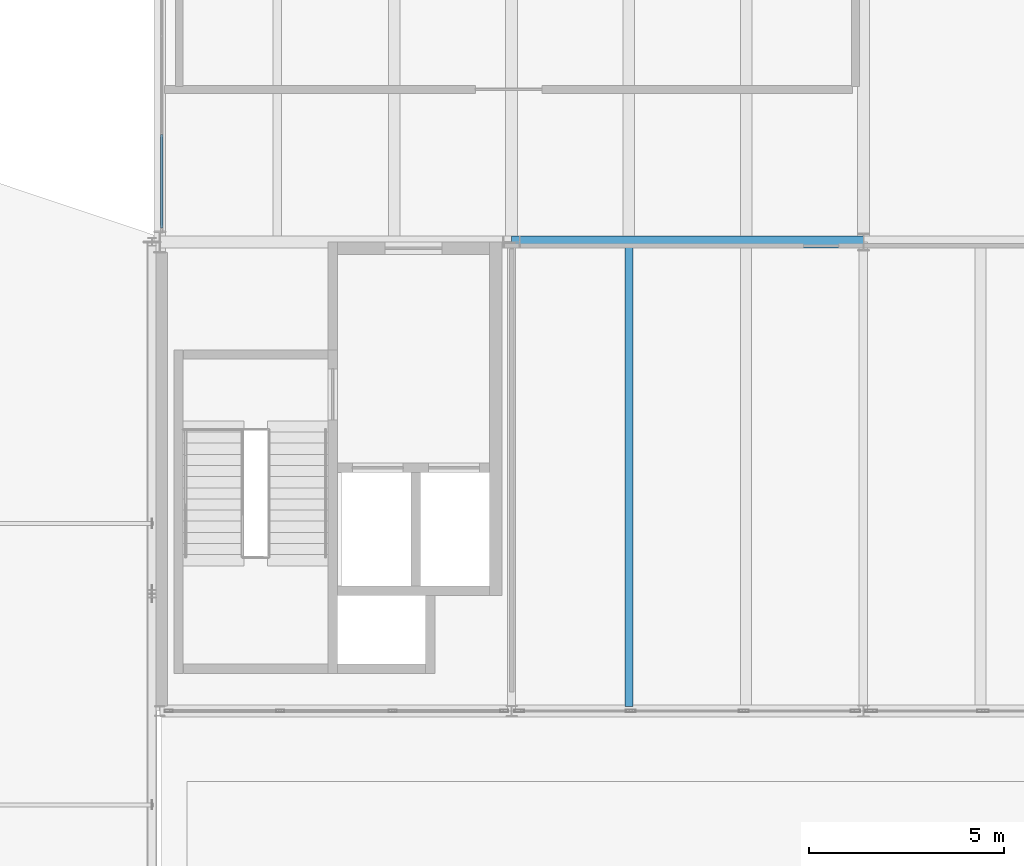
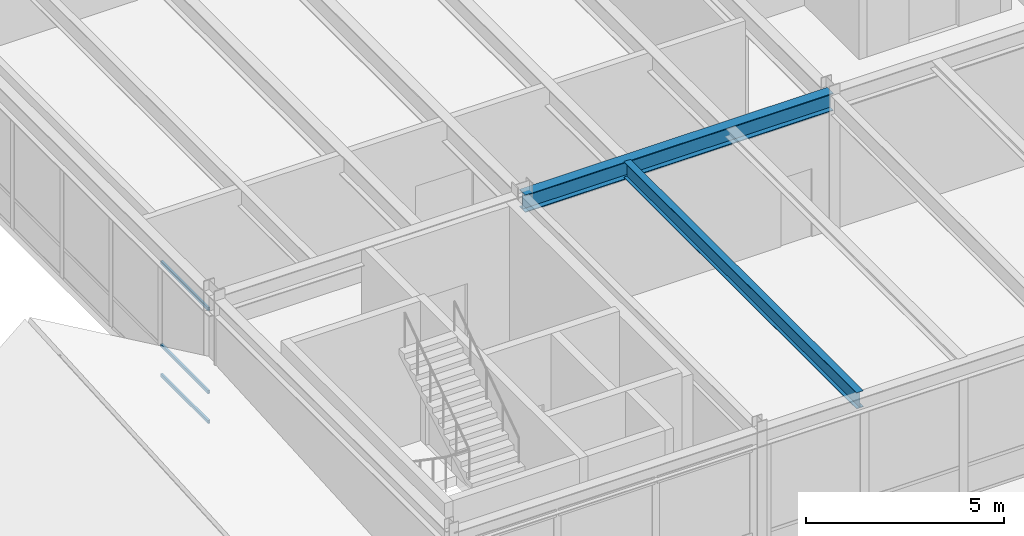
# One storey, part 74 of 142: 3 members, 2 beams, 1 element without a shape of its own.
"""IFC4 building model written with IfcOpenShell, lengths in metres."""

from ifc_helpers import new_model, si_unit, direction, frame, origin, origin_2d, place, context, subcontext, project, spatial, hollow_rectangle, i_section, extrude, material, layer, layer_set, material_profile, profile_set, type_object, element, aggregate, save


model = new_model("IFC4")

# Units and contexts
model_context = context("Model", 3, precision=1e-05, world=origin(), true_north=direction((0.0, 1.0)))
body_context = subcontext(model_context, "Body", "Model", "MODEL_VIEW")
ifc_project = project(units=[si_unit("LENGTHUNIT", "METRE"), si_unit("AREAUNIT", "SQUARE_METRE"), si_unit("VOLUMEUNIT", "CUBIC_METRE"), si_unit("PLANEANGLEUNIT", "RADIAN"), si_unit("MASSUNIT", "GRAM", prefix="KILO")], contexts=[model_context])

# Site, building, storey
site_placement = place(None, origin())
site = spatial("IfcSite", under=ifc_project, at=site_placement, CompositionType="ELEMENT")
building_placement = place(site_placement, origin())
building = spatial("IfcBuilding", under=site, at=building_placement, Name="Montelvaro Courts of Justice", CompositionType="ELEMENT")
storey_placement = place(building_placement, frame((0.0, 0.0, 14.39990234375)))
storey = spatial("IfcBuildingStorey", under=building, at=storey_placement, Name="L03", CompositionType="ELEMENT", Elevation=14.39990234375)

# Beams
ifc_material_1 = material(Name="Steel S355", Category="steel")
ifc_material_profile_1 = material_profile(ifc_material_1, i_section(OverallWidth=0.300048828125, OverallDepth=0.5400390625, WebThickness=0.012451171875, FlangeThickness=0.02392578125, at=origin_2d()), Name="HEA 550")
ifc_profile_set_1 = profile_set([ifc_material_profile_1], Name="Steel S355")
beam_type_1 = type_object("IfcBeamType", Name="Beam_HEA550", PredefinedType="USERDEFINED", material=ifc_profile_set_1)
beam_1_placement = place(storey_placement, frame((108.0, 78.0, 3.93017578125), z_axis=(1.0, 0.0, 0.0), x_axis=(0.0, 1.0, 0.0)))
element("IfcBeam", 1, at=beam_1_placement, inside=storey, type_object=beam_type_1, Name="Beam B-20 L03", ObjectType="GIRDER", PredefinedType="USERDEFINED", context=body_context, shape_type="SweptSolid", body=[
    extrude(i_section(OverallWidth=0.300048828125, OverallDepth=0.5400390625, WebThickness=0.012451171875, FlangeThickness=0.02392578125, at=origin_2d()), origin(), (0.0, 0.0, 1.0), 9.0),
])
ifc_material_profile_2 = material_profile(ifc_material_1, i_section(OverallWidth=0.199951171875, OverallDepth=0.5, WebThickness=0.01025390625, FlangeThickness=0.01611328125, at=origin_2d()), Name="IPE 500")
ifc_profile_set_2 = profile_set([ifc_material_profile_2], Name="Steel S355")
beam_type_2 = type_object("IfcBeamType", Name="Beam_IPE500", PredefinedType="BEAM", material=ifc_profile_set_2)
beam_2_placement = place(storey_placement, frame((111.0, 66.110107421875, 3.9501953125), z_axis=(0.0, 1.0, 0.0), x_axis=(-1.0, 0.0, 0.0)))
element("IfcBeam", 2, at=beam_2_placement, inside=storey, type_object=beam_type_2, Name="Beam B-10 L03", PredefinedType="BEAM", context=body_context, shape_type="SweptSolid", body=[
    extrude(i_section(OverallWidth=0.199951171875, OverallDepth=0.5, WebThickness=0.01025390625, FlangeThickness=0.01611328125, at=origin_2d()), origin(), (0.0, 0.0, 1.0), 11.77978515625),
])

# Curtain wall, members
ifc_material_2 = material(Name="Anodised aluminium EN AW-6063", Category="aluminium")
ifc_layer = layer(ifc_material_2, 0.159912109375)
ifc_layer_set = layer_set([ifc_layer], Name="Anodised aluminium EN AW-6063")
curtain_wall_type = type_object("IfcCurtainWallType", Name="CurtainWall_30_1742x418", PredefinedType="USERDEFINED", material=ifc_layer_set)
curtain_wall_placement = place(storey_placement, origin())
curtain_wall = element("IfcCurtainWall", 3, at=curtain_wall_placement, inside=storey, type_object=curtain_wall_type, Name="Curtain Wall CW-30 (L03)", ObjectType="CURTAIN WALL", PredefinedType="USERDEFINED")
ifc_material_profile_3 = material_profile(ifc_material_2, hollow_rectangle(XDim=0.06005859375, YDim=0.10009765625, WallThickness=0.00341796875, at=origin_2d()), Name="ALU-T 60x100")
ifc_profile_set_3 = profile_set([ifc_material_profile_3], Name="Anodised aluminium EN AW-6063")
member_type = type_object("IfcMemberType", Name="CurtainWall_Transom_60x100", PredefinedType="USERDEFINED", material=ifc_profile_set_3)
member_1_placement = place(storey_placement, frame((99.050048828125, 80.74853515625, 0.030029296875), z_axis=(0.0, -1.0, 0.0), x_axis=(1.0, 0.0, 0.0)))
member_1 = element("IfcMember", 4, at=member_1_placement, type_object=member_type, Name="CW-30 transom 7.1", ObjectType="TRANSOM", PredefinedType="USERDEFINED", context=body_context, shape_type="SweptSolid", body=[
    extrude(hollow_rectangle(XDim=0.06005859375, YDim=0.10009765625, WallThickness=0.00341796875, at=origin_2d()), origin(), (0.0, 0.0, 1.0), 2.3984375),
])
member_2_placement = place(storey_placement, frame((99.050048828125, 80.74853515625, 0.9501953125), z_axis=(0.0, -1.0, 0.0), x_axis=(1.0, 0.0, 0.0)))
member_2 = element("IfcMember", 5, at=member_2_placement, type_object=member_type, Name="CW-30 transom 7.2", ObjectType="TRANSOM", PredefinedType="USERDEFINED", context=body_context, shape_type="SweptSolid", body=[
    extrude(hollow_rectangle(XDim=0.06005859375, YDim=0.10009765625, WallThickness=0.00341796875, at=origin_2d()), origin(), (0.0, 0.0, 1.0), 2.3984375),
])
member_3_placement = place(storey_placement, frame((99.050048828125, 80.74853515625, 3.51513671875), z_axis=(0.0, -1.0, 0.0), x_axis=(1.0, 0.0, 0.0)))
member_3 = element("IfcMember", 6, at=member_3_placement, type_object=member_type, Name="CW-30 transom 7.3", ObjectType="TRANSOM", PredefinedType="USERDEFINED", context=body_context, shape_type="SweptSolid", body=[
    extrude(hollow_rectangle(XDim=0.06005859375, YDim=0.10009765625, WallThickness=0.00341796875, at=origin_2d()), origin(), (0.0, 0.0, 1.0), 2.3984375),
])
aggregate(curtain_wall, [member_1, member_2, member_3])

save(model, "model.ifc")
